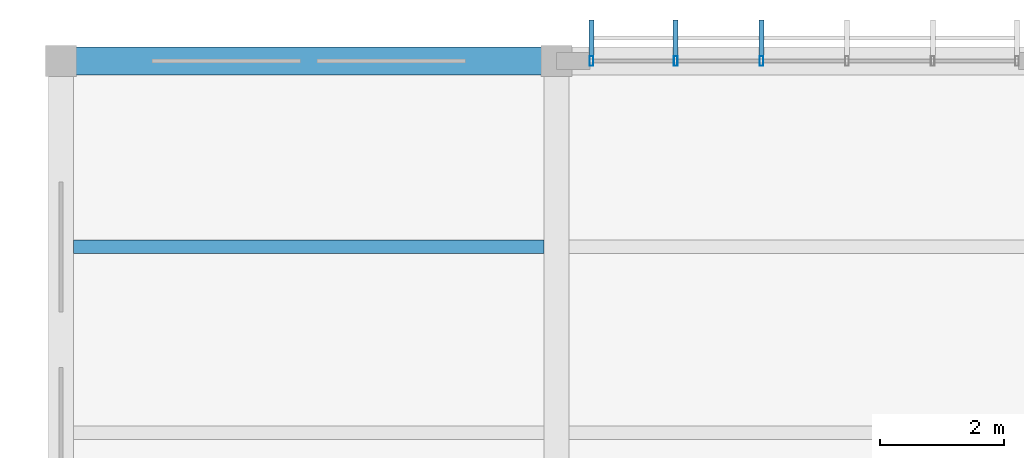
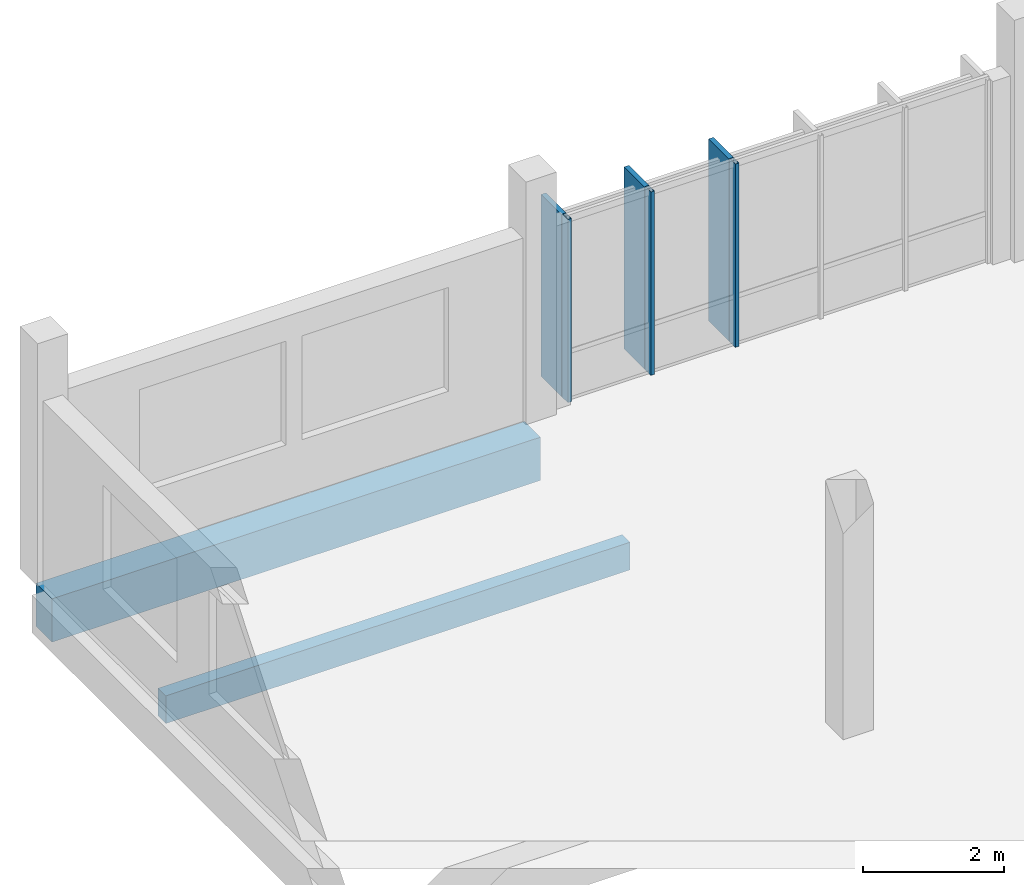
# One storey, part 125 of 182: 6 members, 2 beams, 1 element without a shape of its own.
"""IFC4 building model written with IfcOpenShell, lengths in metres."""

import ifcopenshell
import ifcopenshell.guid

model = None  # the IFC model being written
_history = None  # IfcOwnerHistory: only IFC2X3 demands one
_inside = {}  # id of a spatial element -> (the spatial element, [elements in it])
_under = {}  # id of a project, library or spatial element -> (it, [spatial elements below it])
_declared = {}  # id of a project -> (the project, [libraries it declares])
_typed = {}  # id of a type object -> (the type object, [elements of that type])
_made_of = {}  # id of a material, layer set ... -> (it, [elements and type objects made of it])


def new_model(schema):
    """Start an empty IFC model of exactly this schema.

    Asked for "IFC4X3", IfcOpenShell would pick the latest addendum, in which some entities
    have other attributes; the version numbers below select the first issue.
    IFC2X3 requires an IfcOwnerHistory on every rooted entity: one is made here for all.
    """
    global model, _history
    if schema == "IFC4X3":
        model = ifcopenshell.file(schema_version=(4, 3, 0, 0))
    else:
        model = ifcopenshell.file(schema=schema)
    _inside.clear()
    _under.clear()
    _declared.clear()
    _typed.clear()
    _made_of.clear()
    _history = None
    if model.schema == "IFC2X3":
        org = make("IfcOrganization", Name="unknown")
        user = make(
            "IfcPersonAndOrganization",
            ThePerson=make("IfcPerson", FamilyName="unknown"),
            TheOrganization=org,
        )
        app = make(
            "IfcApplication",
            ApplicationDeveloper=org,
            Version="unknown",
            ApplicationFullName="unknown",
            ApplicationIdentifier="unknown",
        )
        _history = make(
            "IfcOwnerHistory",
            OwningUser=user,
            OwningApplication=app,
            ChangeAction="ADDED",
            CreationDate=0,
        )
    return model


def make(cls, **values):
    """One entity of the class cls with the attributes given. An attribute that is None is left unset."""
    return model.create_entity(
        cls, **{name: value for name, value in values.items() if value is not None}
    )


def rooted(cls, **values):
    """An entity with a GlobalId (a new one), such as an element, a storey or a relation."""
    return make(cls, GlobalId=ifcopenshell.guid.new(), OwnerHistory=_history, **values)


def si_unit(unit_type, name, prefix=None):
    """IfcSIUnit, for example si_unit("LENGTHUNIT", "METRE", prefix="MILLI")."""
    return make("IfcSIUnit", UnitType=unit_type, Prefix=prefix, Name=name)


def assignment(units):
    """IfcUnitAssignment: the units of a project."""
    return None if units is None else make("IfcUnitAssignment", Units=units)


def point(xyz):
    """IfcCartesianPoint."""
    return None if xyz is None else make("IfcCartesianPoint", Coordinates=xyz)


def direction(xyz):
    """IfcDirection."""
    return None if xyz is None else make("IfcDirection", DirectionRatios=xyz)


def frame(location, z_axis=None, x_axis=None):
    """IfcAxis2Placement3D, a coordinate frame: its origin and axes. An axis left out is left unset."""
    return make(
        "IfcAxis2Placement3D",
        Location=point(location),
        Axis=direction(z_axis),
        RefDirection=direction(x_axis),
    )


def frame_2d(location, x_axis=None):
    """IfcAxis2Placement2D, a coordinate frame in the plane: its origin and x axis."""
    return make(
        "IfcAxis2Placement2D", Location=point(location), RefDirection=direction(x_axis)
    )


def origin():
    """The frame at (0, 0, 0) with its axes left unset."""
    return frame((0.0, 0.0, 0.0))


def origin_2d():
    """The frame at (0, 0) in the plane with its x axis left unset."""
    return frame_2d((0.0, 0.0))


def place(relative_to, where):
    """IfcLocalPlacement: puts the frame where relative to a parent placement (None: the world)."""
    return make(
        "IfcLocalPlacement", PlacementRelTo=relative_to, RelativePlacement=where
    )


def context(
    kind, dimensions, precision=None, world=None, true_north=None, identifier=None
):
    """IfcGeometricRepresentationContext, for example the 3D "Model" context."""
    return make(
        "IfcGeometricRepresentationContext",
        ContextIdentifier=identifier,
        ContextType=kind,
        CoordinateSpaceDimension=dimensions,
        Precision=precision,
        WorldCoordinateSystem=world,
        TrueNorth=true_north,
    )


def subcontext(parent, identifier, kind, view, scale=None):
    """IfcGeometricRepresentationSubContext, for example "Body" below "Model"."""
    return make(
        "IfcGeometricRepresentationSubContext",
        ContextIdentifier=identifier,
        ContextType=kind,
        ParentContext=parent,
        TargetScale=scale,
        TargetView=view,
    )


def project(units=None, contexts=None):
    """IfcProject with its units and contexts."""
    return rooted(
        "IfcProject",
        Name="project",
        RepresentationContexts=contexts,
        UnitsInContext=assignment(units),
    )


def spatial(cls, under=None, at=None, **own):
    """A site, building, storey or space (cls), placed at a placement, below another one or the project."""
    s = rooted(cls, ObjectPlacement=at, **own)
    if under is not None:
        _under.setdefault(under.id(), (under, []))[1].append(s)
    return s


def profile(cls, at=None, kind="AREA", **sizes):
    """A parametric profile (cls). Its sizes go by their IFC names, for example OverallWidth=200.0."""
    return make(cls, ProfileType=kind, Position=at, **sizes)


def rectangle(**sizes):
    """IfcRectangleProfileDef."""
    return profile("IfcRectangleProfileDef", **sizes)


def hollow_rectangle(**sizes):
    """IfcRectangleHollowProfileDef."""
    return profile("IfcRectangleHollowProfileDef", **sizes)


def extrude(swept, where, along, depth):
    """IfcExtrudedAreaSolid: the profile swept, set in the frame where, extruded along a direction by depth."""
    return make(
        "IfcExtrudedAreaSolid",
        SweptArea=swept,
        Position=where,
        ExtrudedDirection=direction(along),
        Depth=depth,
    )


def shape(context_of_items, identifier, shape_type, items):
    """IfcShapeRepresentation: the items that make up one representation, for example the "Body"."""
    return make(
        "IfcShapeRepresentation",
        ContextOfItems=context_of_items,
        RepresentationIdentifier=identifier,
        RepresentationType=shape_type,
        Items=items,
    )


def material(Name=None, Category=None):
    """IfcMaterial."""
    return make("IfcMaterial", Name=Name, Category=Category)


def material_profile(
    of_material, cross_section, Name=None, Category=None, Priority=None
):
    """IfcMaterialProfile: a cross section and its material."""
    return make(
        "IfcMaterialProfile",
        Name=Name,
        Material=of_material,
        Profile=cross_section,
        Priority=Priority,
        Category=Category,
    )


def profile_set(profiles, Name=None, composite=None):
    """IfcMaterialProfileSet."""
    return make(
        "IfcMaterialProfileSet",
        Name=Name,
        MaterialProfiles=profiles,
        CompositeProfile=composite,
    )


def made_of(thing, what):
    """Note that an element or type object is made of a material, layer set ...; save() writes the relation."""
    if what is not None:
        _made_of.setdefault(what.id(), (what, []))[1].append(thing)
    return thing


def type_object(cls, material=None, **own):
    """A type object (cls), such as IfcWallType, which elements share."""
    return made_of(rooted(cls, **own), material)


def element(
    cls,
    number,
    at=None,
    inside=None,
    cuts=None,
    type_object=None,
    material=None,
    context=None,
    identifier="Body",
    shape_type=None,
    held_by="IfcProductDefinitionShape",
    body=None,
    shapes=None,
    **own,
):
    """One element of the class cls, such as IfcWall. Its Tag is "e" and its number.

    at: its placement. inside: the storey or other place that contains it. cuts: it is an
    opening in that element (IfcRelVoidsElement). A single representation is given by context,
    identifier, shape_type and body (its items); several are given by shapes. held_by: the class
    of the entity that holds the representations. save() writes the other relations.
    """
    e = rooted(cls, Tag="e%d" % number, ObjectPlacement=at, **own)
    if body is not None:
        shapes = [shape(context, identifier, shape_type, body)]
    if shapes is not None:
        e.Representation = make(held_by, Representations=shapes)
    if inside is not None:
        _inside.setdefault(inside.id(), (inside, []))[1].append(e)
    if cuts is not None:
        rooted(
            "IfcRelVoidsElement", RelatingBuildingElement=cuts, RelatedOpeningElement=e
        )
    if type_object is not None:
        _typed.setdefault(type_object.id(), (type_object, []))[1].append(e)
    return made_of(e, material)


def aggregate(whole, parts):
    """IfcRelAggregates: a whole, such as a stair, and the parts it consists of."""
    return rooted("IfcRelAggregates", RelatingObject=whole, RelatedObjects=parts)


def save(model, path):
    """Write the relations noted so far, then the file.

    IfcRelAggregates (storeys below a building ...), IfcRelContainedInSpatialStructure (elements
    in a storey), IfcRelDefinesByType, IfcRelAssociatesMaterial and IfcRelDeclares: one each for
    every whole, place, type object, material and project.
    """
    for whole, parts in _under.values():
        aggregate(whole, parts)
    for where, things in _inside.values():
        rooted(
            "IfcRelContainedInSpatialStructure",
            RelatedElements=things,
            RelatingStructure=where,
        )
    for kind, things in _typed.values():
        rooted("IfcRelDefinesByType", RelatedObjects=things, RelatingType=kind)
    for what, things in _made_of.values():
        rooted("IfcRelAssociatesMaterial", RelatedObjects=things, RelatingMaterial=what)
    for by, libraries in _declared.values():
        rooted("IfcRelDeclares", RelatingContext=by, RelatedDefinitions=libraries)
    model.write(path)


model = new_model("IFC4")

# Units and contexts
model_context = context("Model", 3, precision=1e-05, world=origin(), true_north=direction((0.0, 1.0)))
body_context = subcontext(model_context, "Body", "Model", "MODEL_VIEW")
ifc_project = project(units=[si_unit("LENGTHUNIT", "METRE"), si_unit("AREAUNIT", "SQUARE_METRE"), si_unit("VOLUMEUNIT", "CUBIC_METRE"), si_unit("PLANEANGLEUNIT", "RADIAN"), si_unit("MASSUNIT", "GRAM", prefix="KILO")], contexts=[model_context])

# Site, building, storey
site_placement = place(None, origin())
site = spatial("IfcSite", under=ifc_project, at=site_placement, CompositionType="ELEMENT")
building_placement = place(site_placement, origin())
building = spatial("IfcBuilding", under=site, at=building_placement, Name="Chiffa Square Polytechnic", CompositionType="ELEMENT")
storey_placement = place(building_placement, frame((0.0, 0.0, 9.60009765625)))
storey = spatial("IfcBuildingStorey", under=building, at=storey_placement, Name="L02", CompositionType="ELEMENT", Elevation=9.60009765625)

# Beam
ifc_material_1 = material(Name="Concrete C35/45", Category="concrete")
ifc_material_profile_1 = material_profile(ifc_material_1, rectangle(XDim=0.449951171875, YDim=0.75, at=origin_2d()), Name="RC 450x750")
ifc_profile_set_1 = profile_set([ifc_material_profile_1], Name="Concrete C35/45")
beam_type_1 = type_object("IfcBeamType", Name="BM-RC-450X750", PredefinedType="BEAM", material=ifc_profile_set_1)
beam_1_placement = place(storey_placement, frame((0.0, 130.800048828125, -0.695068359375), z_axis=(1.0, 0.0, 0.0), x_axis=(0.0, 1.0, 0.0)))
element("IfcBeam", 1, at=beam_1_placement, inside=storey, type_object=beam_type_1, Name="Primary floor girder BM-V5-L02-X-0000-1308", PredefinedType="BEAM", context=body_context, shape_type="SweptSolid", body=[
    extrude(rectangle(XDim=0.449951171875, YDim=0.75, at=origin_2d()), origin(), (0.0, 0.0, 1.0), 8.0),
])

# Curtain wall, members
ifc_material_2 = material(Name="Aluminium EN AW-6060 T66 and glulam shading", Category="wood")
curtain_wall_type = type_object("IfcCurtainWallType", Name="CW-VERT-540X440", PredefinedType="USERDEFINED", material=ifc_material_2)
curtain_wall_placement = place(storey_placement, origin())
curtain_wall = element("IfcCurtainWall", 2, at=curtain_wall_placement, inside=storey, type_object=curtain_wall_type, Name="Curtain wall CW-V5-L02-223", ObjectType="CURTAIN WALL", PredefinedType="USERDEFINED")
ifc_material_3 = material(Name="Aluminium EN AW-6060 T66", Category="aluminium")
ifc_material_profile_2 = material_profile(ifc_material_3, hollow_rectangle(XDim=0.06005859375, YDim=0.159912109375, WallThickness=0.00390625, at=origin_2d()), Name="ALU 60x160x4")
ifc_profile_set_2 = profile_set([ifc_material_profile_2], Name="Aluminium EN AW-6060 T66")
member_type_1 = type_object("IfcMemberType", Name="CWM-ALU-65X150", PredefinedType="MULLION", material=ifc_profile_set_2)
member_1_placement = place(storey_placement, frame((11.30810546875, 130.800048828125, 0.0), z_axis=(0.0, 0.0, 1.0), x_axis=(1.0, 0.0, 0.0)))
member_1 = element("IfcMember", 3, at=member_1_placement, type_object=member_type_1, Name="Curtain wall mullion CW-V5-L02-223-M03", PredefinedType="MULLION", context=body_context, shape_type="SweptSolid", body=[
    extrude(hollow_rectangle(XDim=0.06005859375, YDim=0.159912109375, WallThickness=0.00390625, at=origin_2d()), origin(), (0.0, 0.0, 1.0), 3.1748046875),
])
member_2_placement = place(storey_placement, frame((9.924072265625, 130.800048828125, 0.0), z_axis=(0.0, 0.0, 1.0), x_axis=(1.0, 0.0, 0.0)))
member_2 = element("IfcMember", 4, at=member_2_placement, type_object=member_type_1, Name="Curtain wall mullion CW-V5-L02-223-M04", PredefinedType="MULLION", context=body_context, shape_type="SweptSolid", body=[
    extrude(hollow_rectangle(XDim=0.06005859375, YDim=0.159912109375, WallThickness=0.00390625, at=origin_2d()), origin(), (0.0, 0.0, 1.0), 3.1748046875),
])
member_3_placement = place(storey_placement, frame((8.56494140625, 130.800048828125, 0.0), z_axis=(0.0, 0.0, 1.0), x_axis=(1.0, 0.0, 0.0)))
member_3 = element("IfcMember", 5, at=member_3_placement, type_object=member_type_1, Name="Curtain wall mullion CW-V5-L02-223-M05", PredefinedType="MULLION", context=body_context, shape_type="SweptSolid", body=[
    extrude(hollow_rectangle(XDim=0.06005859375, YDim=0.159912109375, WallThickness=0.00390625, at=origin_2d()), origin(), (0.0, 0.0, 1.0), 3.1748046875),
])
ifc_material_4 = material(Name="Glulam GL28h", Category="wood")
ifc_material_profile_3 = material_profile(ifc_material_4, rectangle(XDim=0.080078125, YDim=0.580078125, at=origin_2d()), Name="GL28h 80x580")
ifc_profile_set_3 = profile_set([ifc_material_profile_3], Name="Glulam GL28h")
member_type_2 = type_object("IfcMemberType", Name="CWM-GL-80X580", PredefinedType="MULLION", material=ifc_profile_set_3)
member_4_placement = place(storey_placement, frame((11.30810546875, 131.172119140625, 0.010009765625), z_axis=(0.0, 0.0, 1.0), x_axis=(-1.0, 0.0, 0.0)))
member_4 = element("IfcMember", 6, at=member_4_placement, type_object=member_type_2, Name="Exterior glulam solar fin CW-V5-L02-223-FN03", PredefinedType="MULLION", context=body_context, shape_type="SweptSolid", body=[
    extrude(rectangle(XDim=0.080078125, YDim=0.580078125, at=origin_2d()), origin(), (0.0, 0.0, 1.0), 3.15478515625),
])
member_5_placement = place(storey_placement, frame((9.924072265625, 131.172119140625, 0.010009765625), z_axis=(0.0, 0.0, 1.0), x_axis=(-1.0, 0.0, 0.0)))
member_5 = element("IfcMember", 7, at=member_5_placement, type_object=member_type_2, Name="Exterior glulam solar fin CW-V5-L02-223-FN04", PredefinedType="MULLION", context=body_context, shape_type="SweptSolid", body=[
    extrude(rectangle(XDim=0.080078125, YDim=0.580078125, at=origin_2d()), origin(), (0.0, 0.0, 1.0), 3.15478515625),
])
member_6_placement = place(storey_placement, frame((8.56494140625, 131.172119140625, 0.010009765625), z_axis=(0.0, 0.0, 1.0), x_axis=(-1.0, 0.0, 0.0)))
member_6 = element("IfcMember", 8, at=member_6_placement, type_object=member_type_2, Name="Exterior glulam solar fin CW-V5-L02-223-FN05", PredefinedType="MULLION", context=body_context, shape_type="SweptSolid", body=[
    extrude(rectangle(XDim=0.080078125, YDim=0.580078125, at=origin_2d()), origin(), (0.0, 0.0, 1.0), 3.15478515625),
])
aggregate(curtain_wall, [member_1, member_4, member_2, member_5, member_3, member_6])

# Beam
ifc_material_profile_4 = material_profile(ifc_material_4, rectangle(XDim=0.219970703125, YDim=0.47998046875, at=origin_2d()), Name="GL28h 220x480")
ifc_profile_set_4 = profile_set([ifc_material_profile_4], Name="Glulam GL28h")
beam_type_2 = type_object("IfcBeamType", Name="JST-GL-220X480", PredefinedType="JOIST", material=ifc_profile_set_4)
beam_2_placement = place(storey_placement, frame((0.197998046875, 127.800048828125, -0.56005859375), z_axis=(1.0, 0.0, 0.0), x_axis=(0.0, 1.0, 0.0)))
element("IfcBeam", 9, at=beam_2_placement, inside=storey, type_object=beam_type_2, Name="Secondary floor joist JST-V5-L02-0000-1278", PredefinedType="JOIST", context=body_context, shape_type="SweptSolid", body=[
    extrude(rectangle(XDim=0.219970703125, YDim=0.47998046875, at=origin_2d()), origin(), (0.0, 0.0, 1.0), 7.60400390625),
])

save(model, "model.ifc")
